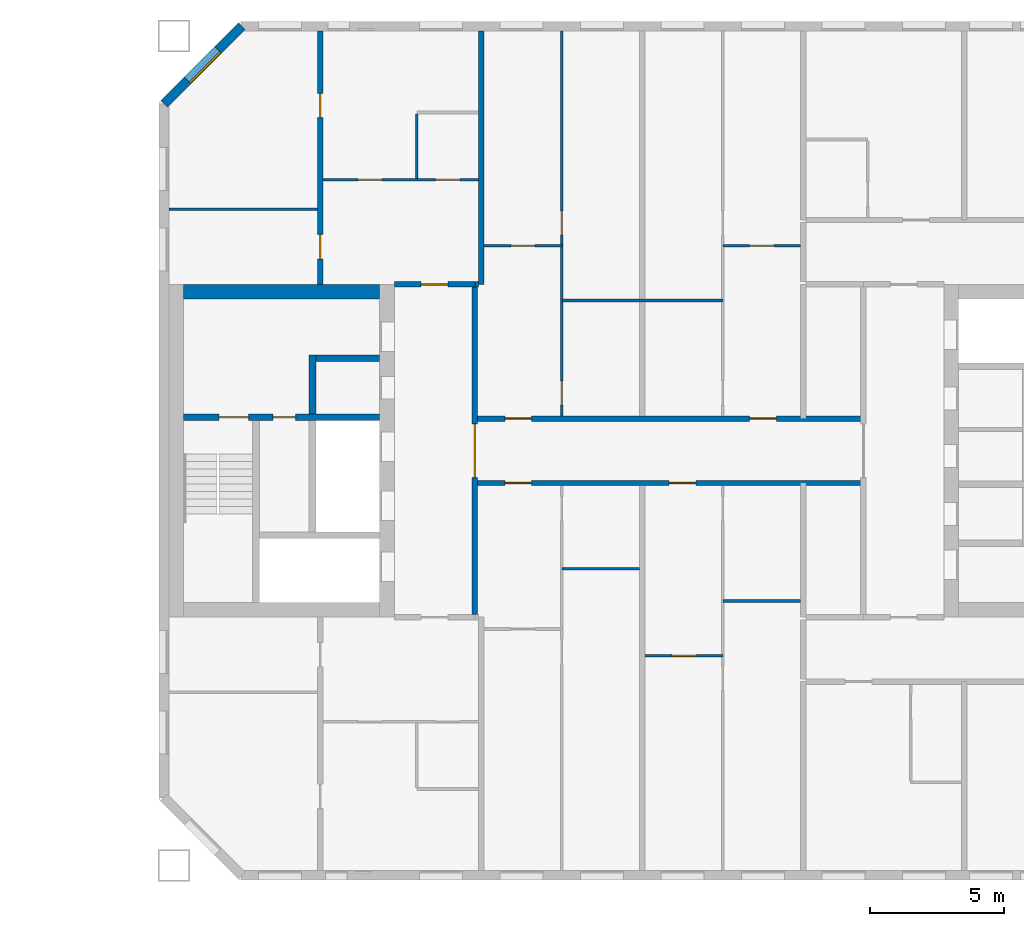
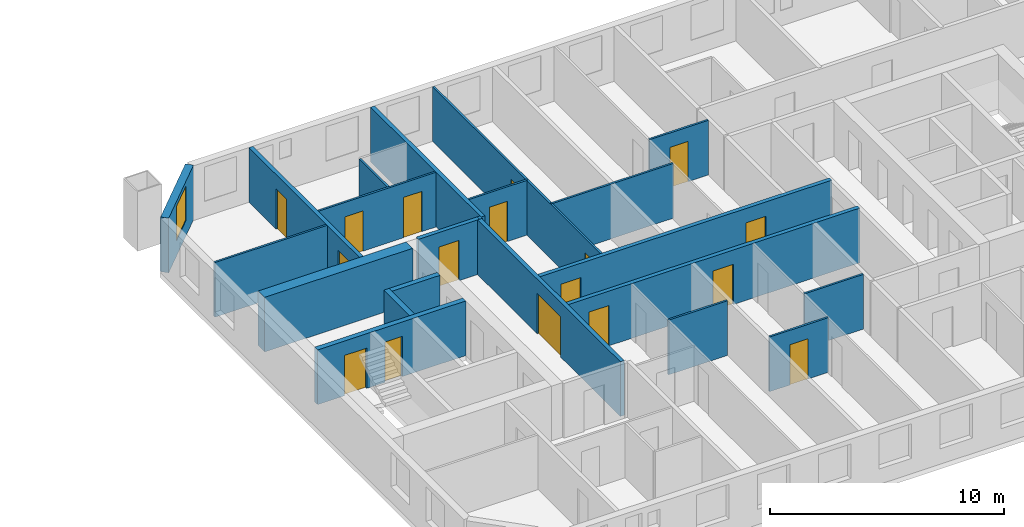
# One storey, part 11 of 17: 22 walls, 17 doors, 1 window, 18 openings.
"""IFC4 building model written with IfcOpenShell, lengths in metres."""

from ifc_helpers import new_model, si_unit, direction, frame, frame_2d, origin, place, context, subcontext, project, spatial, rectangle, extrude, material, layer, layer_set, type_object, element, fill, save


model = new_model("IFC4")

# Units and contexts
model_context = context("Model", 3, precision=1e-05, world=origin(), true_north=direction((0.0, 1.0)))
body_context = subcontext(model_context, "Body", "Model", "MODEL_VIEW")
ifc_project = project(units=[si_unit("LENGTHUNIT", "METRE"), si_unit("AREAUNIT", "SQUARE_METRE"), si_unit("VOLUMEUNIT", "CUBIC_METRE"), si_unit("PLANEANGLEUNIT", "RADIAN"), si_unit("MASSUNIT", "GRAM", prefix="KILO")], contexts=[model_context])

# Site, building, storey
site_placement = place(None, origin())
site = spatial("IfcSite", under=ifc_project, at=site_placement, CompositionType="ELEMENT")
building_placement = place(site_placement, origin())
building = spatial("IfcBuilding", under=site, at=building_placement, Name="Tuart Gate Housing", CompositionType="ELEMENT")
storey_placement = place(building_placement, frame((0.0, 0.0, 126.800048828125)))
storey = spatial("IfcBuildingStorey", under=building, at=storey_placement, Name="L35", CompositionType="ELEMENT", Elevation=126.800048828125)

# Wall, opening, window
ifc_material_1 = material(Name="Brick", Category="masonry")
ifc_layer_1 = layer(ifc_material_1, 0.360107421875)
ifc_layer_set_1 = layer_set([ifc_layer_1], Name="Brick pier and spandrel wall 360")
wall_type_1 = type_object("IfcWallType", Name="Brick pier and spandrel wall 360", PredefinedType="STANDARD", material=ifc_layer_set_1)
wall_1_placement = place(storey_placement, frame((134.07470703125, 85.820068359375, 0.0), z_axis=(0.0, 0.0, 1.0), x_axis=(-0.707106781187, -0.707106781187, 0.0)))
wall_1 = element("IfcWall", 1, at=wall_1_placement, inside=storey, type_object=wall_type_1, Name="External wall B-NW L35", PredefinedType="STANDARD", context=body_context, shape_type="SweptSolid", body=[
    extrude(rectangle(XDim=4.09375, YDim=0.360107421875, at=frame_2d((2.046875, 0.0))), origin(), (0.0, 0.0, 1.0), 2.849853515625),
])
opening_1_placement = place(wall_1_placement, frame((1.2470703125, 0.0, 0.800048828125)))
opening_1 = element("IfcOpeningElement", 2, at=opening_1_placement, cuts=wall_1, Name="Opening W1", PredefinedType="OPENING", context=body_context, shape_type="SweptSolid", body=[
    extrude(rectangle(XDim=1.60009765625, YDim=1.800048828125, at=frame_2d((0.800048828125, 0.89990234375))), frame((0.0, 0.18994140625, 0.0), z_axis=(0.0, -1.0, 0.0), x_axis=(1.0, 0.0, 0.0)), (0.0, 0.0, 1.0), 0.380126953125),
])
ifc_material_2 = material(Name="Aluminium frame with clear glass", Category="aluminium")
window_type = type_object("IfcWindowType", Name="Punched window 1600 x 1800", PartitioningType="SINGLE_PANEL", PredefinedType="WINDOW", material=ifc_material_2)
window_placement = place(opening_1_placement, origin())
window = element("IfcWindow", 3, at=window_placement, inside=storey, type_object=window_type, Name="Window W1", OverallHeight=1.800048828125, OverallWidth=1.60009765625, PartitioningType="SINGLE_PANEL", PredefinedType="WINDOW", context=body_context, shape_type="SweptSolid", body=[
    extrude(rectangle(XDim=1.60009765625, YDim=1.800048828125, at=frame_2d((0.800048828125, 0.89990234375))), frame((0.0, 0.150146484375, 0.0), z_axis=(0.0, -1.0, 0.0), x_axis=(1.0, 0.0, 0.0)), (0.0, 0.0, 1.0), 0.06005859375),
])
fill(opening_1, window)

# Wall, openings, doors
ifc_material_3 = material(Name="Concrete C50", Category="concrete")
ifc_layer_2 = layer(ifc_material_3, 0.25)
ifc_layer_set_2 = layer_set([ifc_layer_2], Name="Core wall 250 C50")
wall_type_2 = type_object("IfcWallType", Name="Core wall 250 C50", PredefinedType="SHEAR", material=ifc_layer_set_2)
wall_2_placement = place(storey_placement, frame((139.2099609375, 71.25, 0.0), z_axis=(0.0, 0.0, 1.0), x_axis=(-1.0, 0.0, 0.0)))
wall_2 = element("IfcWall", 4, at=wall_2_placement, inside=storey, type_object=wall_type_2, Name="Core wall BG.2", PredefinedType="SHEAR", context=body_context, shape_type="SweptSolid", body=[
    extrude(rectangle(XDim=7.300048828125, YDim=0.25, at=frame_2d((3.64990234375, 0.0))), origin(), (0.0, 0.0, 1.0), 2.849853515625),
])
opening_2_placement = place(wall_2_placement, frame((4.875, 0.0, 0.0)))
opening_2 = element("IfcOpeningElement", 5, at=opening_2_placement, cuts=wall_2, Name="Opening D1369", PredefinedType="OPENING", context=body_context, shape_type="SweptSolid", body=[
    extrude(rectangle(XDim=1.10009765625, YDim=2.10009765625, at=frame_2d((0.550048828125, 1.050048828125))), frame((0.0, 0.135009765625, 0.0), z_axis=(0.0, -1.0, 0.0), x_axis=(1.0, 0.0, 0.0)), (0.0, 0.0, 1.0), 0.27001953125),
])
opening_3_placement = place(wall_2_placement, frame((3.125, 0.0, 0.0)))
opening_3 = element("IfcOpeningElement", 6, at=opening_3_placement, cuts=wall_2, Name="Opening D1368", PredefinedType="OPENING", context=body_context, shape_type="SweptSolid", body=[
    extrude(rectangle(XDim=0.85009765625, YDim=2.10009765625, at=frame_2d((0.425048828125, 1.050048828125))), frame((0.0, 0.135009765625, 0.0), z_axis=(0.0, -1.0, 0.0), x_axis=(1.0, 0.0, 0.0)), (0.0, 0.0, 1.0), 0.27001953125),
])
ifc_material_4 = material(Name="Steel fire door", Category="steel")
door_type_1 = type_object("IfcDoorType", Name="Riser door 850 x 2100", OperationType="SINGLE_SWING_LEFT", PredefinedType="DOOR", material=ifc_material_4)
door_1_placement = place(opening_3_placement, origin())
door_1 = element("IfcDoor", 7, at=door_1_placement, inside=storey, type_object=door_type_1, Name="Service room door BG.W1", OperationType="SINGLE_SWING_LEFT", OverallHeight=2.10009765625, OverallWidth=0.85009765625, PredefinedType="DOOR", context=body_context, shape_type="SweptSolid", body=[
    extrude(rectangle(XDim=0.85009765625, YDim=2.10009765625, at=frame_2d((0.425048828125, 1.050048828125))), frame((0.0, 0.02490234375, 0.0), z_axis=(0.0, -1.0, 0.0), x_axis=(1.0, 0.0, 0.0)), (0.0, 0.0, 1.0), 0.050048828125),
])
fill(opening_3, door_1)
ifc_material_5 = material(Name="Steel fire door", Category="steel")
door_type_2 = type_object("IfcDoorType", Name="Stair door 1100 x 2100", OperationType="SINGLE_SWING_LEFT", PredefinedType="DOOR", material=ifc_material_5)
door_2_placement = place(opening_2_placement, origin())
door_2 = element("IfcDoor", 8, at=door_2_placement, inside=storey, type_object=door_type_2, Name="Stair door BG.SD", OperationType="SINGLE_SWING_LEFT", OverallHeight=2.10009765625, OverallWidth=1.10009765625, PredefinedType="DOOR", context=body_context, shape_type="SweptSolid", body=[
    extrude(rectangle(XDim=1.10009765625, YDim=2.10009765625, at=frame_2d((0.550048828125, 1.050048828125))), frame((0.0, 0.02490234375, 0.0), z_axis=(0.0, -1.0, 0.0), x_axis=(1.0, 0.0, 0.0)), (0.0, 0.0, 1.0), 0.050048828125),
])
fill(opening_2, door_2)

# Walls
wall_3_placement = place(storey_placement, frame((139.2099609375, 73.449951171875, 0.0), z_axis=(0.0, 0.0, 1.0), x_axis=(-1.0, 0.0, 0.0)))
element("IfcWall", 9, at=wall_3_placement, inside=storey, type_object=wall_type_2, Name="Core wall BG.3", PredefinedType="SHEAR", context=body_context, shape_type="SweptSolid", body=[
    extrude(rectangle(XDim=2.375, YDim=0.25, at=frame_2d((1.1875, 0.0))), origin(), (0.0, 0.0, 1.0), 2.849853515625),
])
wall_4_placement = place(storey_placement, frame((136.7099609375, 71.375, 0.0), z_axis=(0.0, 0.0, 1.0), x_axis=(0.0, 1.0, 0.0)))
element("IfcWall", 10, at=wall_4_placement, inside=storey, type_object=wall_type_2, Name="Core wall BG.5", PredefinedType="SHEAR", context=body_context, shape_type="SweptSolid", body=[
    extrude(rectangle(XDim=2.199951171875, YDim=0.25, at=frame_2d((1.10009765625, 0.0))), origin(), (0.0, 0.0, 1.0), 2.849853515625),
])
ifc_material_6 = material(Name="Concrete C50", Category="concrete")
ifc_layer_3 = layer(ifc_material_6, 0.550048828125)
ifc_layer_set_3 = layer_set([ifc_layer_3], Name="Core wall 550 C50")
wall_type_3 = type_object("IfcWallType", Name="Core wall 550 C50", PredefinedType="SHEAR", material=ifc_layer_set_3)
wall_5_placement = place(storey_placement, frame((139.2099609375, 75.925048828125, 0.0), z_axis=(0.0, 0.0, 1.0), x_axis=(-1.0, 0.0, 0.0)))
element("IfcWall", 11, at=wall_5_placement, inside=storey, type_object=wall_type_3, Name="Core wall BG north", PredefinedType="SHEAR", context=body_context, shape_type="SweptSolid", body=[
    extrude(rectangle(XDim=7.300048828125, YDim=0.550048828125, at=frame_2d((3.64990234375, 0.0))), origin(), (0.0, 0.0, 1.0), 2.849853515625),
])

# Wall, openings, doors
ifc_material_7 = material(Name="Concrete masonry 15 MPa", Category="masonry")
ifc_layer_4 = layer(ifc_material_7, 0.199951171875)
ifc_layer_set_4 = layer_set([ifc_layer_4], Name="Corridor wall masonry 200")
wall_type_4 = type_object("IfcWallType", Name="Corridor wall masonry 200", PredefinedType="PARTITIONING", material=ifc_layer_set_4)
wall_6_placement = place(storey_placement, frame((142.760009765625, 68.800048828125, 0.0), z_axis=(0.0, 0.0, 1.0), x_axis=(1.0, 0.0, 0.0)))
wall_6 = element("IfcWall", 12, at=wall_6_placement, inside=storey, type_object=wall_type_4, Name="Corridor wall masonry 200", PredefinedType="PARTITIONING", context=body_context, shape_type="SweptSolid", body=[
    extrude(rectangle(XDim=14.47998046875, YDim=0.199951171875, at=frame_2d((7.239990234375, 0.0))), origin(), (0.0, 0.0, 1.0), 2.849853515625),
])
opening_4_placement = place(wall_6_placement, frame((1.1201171875, 0.0, 0.0)))
opening_4 = element("IfcOpeningElement", 13, at=opening_4_placement, cuts=wall_6, Name="Opening D1380", PredefinedType="OPENING", context=body_context, shape_type="SweptSolid", body=[
    extrude(rectangle(XDim=1.0, YDim=2.10009765625, at=frame_2d((0.5, 1.050048828125))), frame((0.0, 0.10986328125, 0.0), z_axis=(0.0, -1.0, 0.0), x_axis=(1.0, 0.0, 0.0)), (0.0, 0.0, 1.0), 0.219970703125),
])
opening_5_placement = place(wall_6_placement, frame((7.239990234375, 0.0, 0.0)))
opening_5 = element("IfcOpeningElement", 14, at=opening_5_placement, cuts=wall_6, Name="Opening D1381", PredefinedType="OPENING", context=body_context, shape_type="SweptSolid", body=[
    extrude(rectangle(XDim=1.0, YDim=2.10009765625, at=frame_2d((0.5, 1.050048828125))), frame((0.0, 0.10986328125, 0.0), z_axis=(0.0, -1.0, 0.0), x_axis=(1.0, 0.0, 0.0)), (0.0, 0.0, 1.0), 0.219970703125),
])
ifc_material_8 = material(Name="Timber door leaf in steel frame", Category="steel")
door_type_3 = type_object("IfcDoorType", Name="Flat entrance door 1000 RH", OperationType="SINGLE_SWING_RIGHT", PredefinedType="DOOR", material=ifc_material_8)
door_3_placement = place(opening_4_placement, frame((1.0, 0.0, 0.0), z_axis=(0.0, 0.0, 1.0), x_axis=(-1.0, 0.0, 0.0)))
door_3 = element("IfcDoor", 15, at=door_3_placement, inside=storey, type_object=door_type_3, Name="Flat entrance door", OperationType="SINGLE_SWING_RIGHT", OverallHeight=2.10009765625, OverallWidth=1.0, PredefinedType="DOOR", context=body_context, shape_type="SweptSolid", body=[
    extrude(rectangle(XDim=1.0, YDim=2.10009765625, at=frame_2d((0.5, 1.050048828125))), frame((0.0, 0.025146484375, 0.0), z_axis=(0.0, -1.0, 0.0), x_axis=(1.0, 0.0, 0.0)), (0.0, 0.0, 1.0), 0.050048828125),
])
fill(opening_4, door_3)
door_4_placement = place(opening_5_placement, frame((1.0, 0.0, 0.0), z_axis=(0.0, 0.0, 1.0), x_axis=(-1.0, 0.0, 0.0)))
door_4 = element("IfcDoor", 16, at=door_4_placement, inside=storey, type_object=door_type_3, Name="Flat entrance door", OperationType="SINGLE_SWING_RIGHT", OverallHeight=2.10009765625, OverallWidth=1.0, PredefinedType="DOOR", context=body_context, shape_type="SweptSolid", body=[
    extrude(rectangle(XDim=1.0, YDim=2.10009765625, at=frame_2d((0.5, 1.050048828125))), frame((0.0, 0.025146484375, 0.0), z_axis=(0.0, -1.0, 0.0), x_axis=(1.0, 0.0, 0.0)), (0.0, 0.0, 1.0), 0.050048828125),
])
fill(opening_5, door_4)

wall_7_placement = place(storey_placement, frame((142.760009765625, 71.199951171875, 0.0), z_axis=(0.0, 0.0, 1.0), x_axis=(1.0, 0.0, 0.0)))
wall_7 = element("IfcWall", 17, at=wall_7_placement, inside=storey, type_object=wall_type_4, Name="Corridor wall masonry 200", PredefinedType="PARTITIONING", context=body_context, shape_type="SweptSolid", body=[
    extrude(rectangle(XDim=14.47998046875, YDim=0.199951171875, at=frame_2d((7.239990234375, 0.0))), origin(), (0.0, 0.0, 1.0), 2.849853515625),
])
opening_6_placement = place(wall_7_placement, frame((1.1201171875, 0.0, 0.0)))
opening_6 = element("IfcOpeningElement", 18, at=opening_6_placement, cuts=wall_7, Name="Opening D1370", PredefinedType="OPENING", context=body_context, shape_type="SweptSolid", body=[
    extrude(rectangle(XDim=1.0, YDim=2.10009765625, at=frame_2d((0.5, 1.050048828125))), frame((0.0, 0.10986328125, 0.0), z_axis=(0.0, -1.0, 0.0), x_axis=(1.0, 0.0, 0.0)), (0.0, 0.0, 1.0), 0.219970703125),
])
opening_7_placement = place(wall_7_placement, frame((10.239990234375, 0.0, 0.0)))
opening_7 = element("IfcOpeningElement", 19, at=opening_7_placement, cuts=wall_7, Name="Opening D1371", PredefinedType="OPENING", context=body_context, shape_type="SweptSolid", body=[
    extrude(rectangle(XDim=1.0, YDim=2.10009765625, at=frame_2d((0.5, 1.050048828125))), frame((0.0, 0.10986328125, 0.0), z_axis=(0.0, -1.0, 0.0), x_axis=(1.0, 0.0, 0.0)), (0.0, 0.0, 1.0), 0.219970703125),
])
ifc_material_9 = material(Name="Timber door leaf in steel frame", Category="steel")
door_type_4 = type_object("IfcDoorType", Name="Flat entrance door 1000", OperationType="SINGLE_SWING_LEFT", PredefinedType="DOOR", material=ifc_material_9)
door_5_placement = place(opening_6_placement, origin())
door_5 = element("IfcDoor", 20, at=door_5_placement, inside=storey, type_object=door_type_4, Name="Flat entrance door", OperationType="SINGLE_SWING_LEFT", OverallHeight=2.10009765625, OverallWidth=1.0, PredefinedType="DOOR", context=body_context, shape_type="SweptSolid", body=[
    extrude(rectangle(XDim=1.0, YDim=2.10009765625, at=frame_2d((0.5, 1.050048828125))), frame((0.0, 0.02490234375, 0.0), z_axis=(0.0, -1.0, 0.0), x_axis=(1.0, 0.0, 0.0)), (0.0, 0.0, 1.0), 0.050048828125),
])
fill(opening_6, door_5)
door_6_placement = place(opening_7_placement, origin())
door_6 = element("IfcDoor", 21, at=door_6_placement, inside=storey, type_object=door_type_4, Name="Flat entrance door", OperationType="SINGLE_SWING_LEFT", OverallHeight=2.10009765625, OverallWidth=1.0, PredefinedType="DOOR", context=body_context, shape_type="SweptSolid", body=[
    extrude(rectangle(XDim=1.0, YDim=2.10009765625, at=frame_2d((0.5, 1.050048828125))), frame((0.0, 0.02490234375, 0.0), z_axis=(0.0, -1.0, 0.0), x_axis=(1.0, 0.0, 0.0)), (0.0, 0.0, 1.0), 0.050048828125),
])
fill(opening_7, door_6)

# Wall, opening, door
ifc_material_10 = material(Name="Concrete masonry 15 MPa", Category="masonry")
ifc_layer_5 = layer(ifc_material_10, 0.199951171875)
ifc_layer_set_5 = layer_set([ifc_layer_5], Name="Enclosure wall masonry 200")
wall_type_5 = type_object("IfcWallType", Name="Enclosure wall masonry 200", PredefinedType="PARTITIONING", material=ifc_layer_set_5)
wall_8_placement = place(storey_placement, frame((139.760009765625, 76.199951171875, 0.0), z_axis=(0.0, 0.0, 1.0), x_axis=(1.0, 0.0, 0.0)))
wall_8 = element("IfcWall", 22, at=wall_8_placement, inside=storey, type_object=wall_type_5, Name="Enclosure wall masonry 200", PredefinedType="PARTITIONING", context=body_context, shape_type="SweptSolid", body=[
    extrude(rectangle(XDim=3.0, YDim=0.199951171875, at=frame_2d((1.5, 0.0))), origin(), (0.0, 0.0, 1.0), 2.849853515625),
])
opening_8_placement = place(wall_8_placement, frame((1.0, 0.0, 0.0)))
opening_8 = element("IfcOpeningElement", 23, at=opening_8_placement, cuts=wall_8, Name="Opening D1366", PredefinedType="OPENING", context=body_context, shape_type="SweptSolid", body=[
    extrude(rectangle(XDim=1.0, YDim=2.10009765625, at=frame_2d((0.5, 1.050048828125))), frame((0.0, 0.10986328125, 0.0), z_axis=(0.0, -1.0, 0.0), x_axis=(1.0, 0.0, 0.0)), (0.0, 0.0, 1.0), 0.219970703125),
])
door_7_placement = place(opening_8_placement, origin())
door_7 = element("IfcDoor", 24, at=door_7_placement, inside=storey, type_object=door_type_3, Name="Flat entrance door", OperationType="SINGLE_SWING_RIGHT", OverallHeight=2.10009765625, OverallWidth=1.0, PredefinedType="DOOR", context=body_context, shape_type="SweptSolid", body=[
    extrude(rectangle(XDim=1.0, YDim=2.10009765625, at=frame_2d((0.5, 1.050048828125))), frame((0.0, 0.02490234375, 0.0), z_axis=(0.0, -1.0, 0.0), x_axis=(1.0, 0.0, 0.0)), (0.0, 0.0, 1.0), 0.050048828125),
])
fill(opening_8, door_7)

ifc_material_11 = material(Name="Plasterboard partition")
ifc_layer_6 = layer(ifc_material_11, 0.199951171875)
ifc_layer_set_6 = layer_set([ifc_layer_6], Name="Lobby wall 200")
wall_type_6 = type_object("IfcWallType", Name="Lobby wall 200", PredefinedType="PARTITIONING", material=ifc_layer_set_6)
wall_9_placement = place(storey_placement, frame((142.760009765625, 63.89990234375, 0.0), z_axis=(0.0, 0.0, 1.0), x_axis=(0.0, 1.0, 0.0)))
wall_9 = element("IfcWall", 25, at=wall_9_placement, inside=storey, type_object=wall_type_6, Name="Lift lobby wall BG", PredefinedType="PARTITIONING", context=body_context, shape_type="SweptSolid", body=[
    extrude(rectangle(XDim=12.2001953125, YDim=0.199951171875, at=frame_2d((6.10009765625, 0.0))), origin(), (0.0, 0.0, 1.0), 2.849853515625),
])
opening_9_placement = place(wall_9_placement, frame((5.10009765625, 0.0, 0.0)))
opening_9 = element("IfcOpeningElement", 26, at=opening_9_placement, cuts=wall_9, Name="Opening D1374", PredefinedType="OPENING", context=body_context, shape_type="SweptSolid", body=[
    extrude(rectangle(XDim=2.0, YDim=2.10009765625, at=frame_2d((1.0, 1.050048828125))), frame((0.0, 0.10986328125, 0.0), z_axis=(0.0, -1.0, 0.0), x_axis=(1.0, 0.0, 0.0)), (0.0, 0.0, 1.0), 0.219970703125),
])
ifc_material_12 = material(Name="Steel fire door", Category="steel")
door_type_5 = type_object("IfcDoorType", Name="Smoke door 2000 x 2100", OperationType="DOUBLE_DOOR_SINGLE_SWING", PredefinedType="DOOR", material=ifc_material_12)
door_8_placement = place(opening_9_placement, origin())
door_8 = element("IfcDoor", 27, at=door_8_placement, inside=storey, type_object=door_type_5, Name="Lift lobby smoke door BG", OperationType="DOUBLE_DOOR_SINGLE_SWING", OverallHeight=2.10009765625, OverallWidth=2.0, PredefinedType="DOOR", context=body_context, shape_type="SweptSolid", body=[
    extrude(rectangle(XDim=2.0, YDim=2.10009765625, at=frame_2d((1.0, 1.050048828125))), frame((0.0, 0.02490234375, 0.0), z_axis=(0.0, -1.0, 0.0), x_axis=(1.0, 0.0, 0.0)), (0.0, 0.0, 1.0), 0.050048828125),
])
fill(opening_9, door_8)

ifc_material_13 = material(Name="Gypsum board on steel studs", Category="steel")
ifc_layer_7 = layer(ifc_material_13, 0.10009765625)
ifc_layer_set_7 = layer_set([ifc_layer_7], Name="Partition 100")
wall_type_7 = type_object("IfcWallType", Name="Partition 100", PredefinedType="PARTITIONING", material=ifc_layer_set_7)
wall_10_placement = place(storey_placement, frame((149.10009765625, 62.360107421875, 0.0), z_axis=(0.0, 0.0, 1.0), x_axis=(1.0, 0.0, 0.0)))
wall_10 = element("IfcWall", 28, at=wall_10_placement, inside=storey, type_object=wall_type_7, Name="Partition 100", PredefinedType="PARTITIONING", context=body_context, shape_type="SweptSolid", body=[
    extrude(rectangle(XDim=2.89990234375, YDim=0.10009765625, at=frame_2d((1.449951171875, 0.0))), origin(), (0.0, 0.0, 1.0), 2.849853515625),
])
opening_10_placement = place(wall_10_placement, frame((1.0, 0.0, 0.0)))
opening_10 = element("IfcOpeningElement", 29, at=opening_10_placement, cuts=wall_10, Name="Opening D1388", PredefinedType="OPENING", context=body_context, shape_type="SweptSolid", body=[
    extrude(rectangle(XDim=0.89990234375, YDim=2.10009765625, at=frame_2d((0.449951171875, 1.050048828125))), frame((0.0, 0.06005859375, 0.0), z_axis=(0.0, -1.0, 0.0), x_axis=(1.0, 0.0, 0.0)), (0.0, 0.0, 1.0), 0.1201171875),
])
ifc_material_14 = material(Name="Timber door leaf in steel frame", Category="steel")
door_type_6 = type_object("IfcDoorType", Name="Internal door 900 RH", OperationType="SINGLE_SWING_RIGHT", PredefinedType="DOOR", material=ifc_material_14)
door_9_placement = place(opening_10_placement, origin())
door_9 = element("IfcDoor", 30, at=door_9_placement, inside=storey, type_object=door_type_6, Name="Internal door", OperationType="SINGLE_SWING_RIGHT", OverallHeight=2.10009765625, OverallWidth=0.89990234375, PredefinedType="DOOR", context=body_context, shape_type="SweptSolid", body=[
    extrude(rectangle(XDim=0.89990234375, YDim=2.10009765625, at=frame_2d((0.449951171875, 1.050048828125))), frame((0.0, 0.02490234375, 0.0), z_axis=(0.0, -1.0, 0.0), x_axis=(1.0, 0.0, 0.0)), (0.0, 0.0, 1.0), 0.050048828125),
])
fill(opening_10, door_9)

# Walls
for number, where, z_axis, x_axis, name in (
    (31, (152.0, 64.39990234375, 0.0), (0.0, 0.0, 1.0), (1.0, 0.0, 0.0), "Partition 100"),
    (32, (146.0, 65.60009765625, 0.0), (0.0, 0.0, 1.0), (1.0, 0.0, 0.0), "Partition 100"),
):
    element("IfcWall", number, at=place(storey_placement, frame(where, z_axis=z_axis, x_axis=x_axis)), inside=storey, type_object=wall_type_7, Name=name, PredefinedType="PARTITIONING", context=body_context, shape_type="SweptSolid", body=[
        extrude(rectangle(XDim=2.89990234375, YDim=0.10009765625, at=frame_2d((1.449951171875, 0.0))), origin(), (0.0, 0.0, 1.0), 2.849853515625),
    ])
wall_11_placement = place(storey_placement, frame((146.0, 75.60009765625, 0.0), z_axis=(0.0, 0.0, 1.0), x_axis=(1.0, 0.0, 0.0)))
element("IfcWall", 33, at=wall_11_placement, inside=storey, type_object=wall_type_7, Name="Partition 100", PredefinedType="PARTITIONING", context=body_context, shape_type="SweptSolid", body=[
    extrude(rectangle(XDim=6.0, YDim=0.10009765625, at=frame_2d((3.0, 0.0))), origin(), (0.0, 0.0, 1.0), 2.849853515625),
])

# Wall, opening, door
wall_12_placement = place(storey_placement, frame((143.10009765625, 77.639892578125, 0.0), z_axis=(0.0, 0.0, 1.0), x_axis=(1.0, 0.0, 0.0)))
wall_12 = element("IfcWall", 34, at=wall_12_placement, inside=storey, type_object=wall_type_7, Name="Partition 100", PredefinedType="PARTITIONING", context=body_context, shape_type="SweptSolid", body=[
    extrude(rectangle(XDim=2.89990234375, YDim=0.10009765625, at=frame_2d((1.449951171875, 0.0))), origin(), (0.0, 0.0, 1.0), 2.849853515625),
])
opening_11_placement = place(wall_12_placement, frame((1.0, 0.0, 0.0)))
opening_11 = element("IfcOpeningElement", 35, at=opening_11_placement, cuts=wall_12, Name="Opening D1364", PredefinedType="OPENING", context=body_context, shape_type="SweptSolid", body=[
    extrude(rectangle(XDim=0.89990234375, YDim=2.10009765625, at=frame_2d((0.449951171875, 1.050048828125))), frame((0.0, 0.06005859375, 0.0), z_axis=(0.0, -1.0, 0.0), x_axis=(1.0, 0.0, 0.0)), (0.0, 0.0, 1.0), 0.1201171875),
])
ifc_material_15 = material(Name="Timber door leaf in steel frame", Category="steel")
door_type_7 = type_object("IfcDoorType", Name="Internal door 900", OperationType="SINGLE_SWING_LEFT", PredefinedType="DOOR", material=ifc_material_15)
door_10_placement = place(opening_11_placement, frame((0.89990234375, 0.0, 0.0), z_axis=(0.0, 0.0, 1.0), x_axis=(-1.0, 0.0, 0.0)))
door_10 = element("IfcDoor", 36, at=door_10_placement, inside=storey, type_object=door_type_7, Name="Internal door", OperationType="SINGLE_SWING_LEFT", OverallHeight=2.10009765625, OverallWidth=0.89990234375, PredefinedType="DOOR", context=body_context, shape_type="SweptSolid", body=[
    extrude(rectangle(XDim=0.89990234375, YDim=2.10009765625, at=frame_2d((0.449951171875, 1.050048828125))), frame((0.0, 0.025146484375, 0.0), z_axis=(0.0, -1.0, 0.0), x_axis=(1.0, 0.0, 0.0)), (0.0, 0.0, 1.0), 0.050048828125),
])
fill(opening_11, door_10)

wall_13_placement = place(storey_placement, frame((152.0, 77.639892578125, 0.0), z_axis=(0.0, 0.0, 1.0), x_axis=(1.0, 0.0, 0.0)))
wall_13 = element("IfcWall", 37, at=wall_13_placement, inside=storey, type_object=wall_type_7, Name="Partition 100", PredefinedType="PARTITIONING", context=body_context, shape_type="SweptSolid", body=[
    extrude(rectangle(XDim=2.89990234375, YDim=0.10009765625, at=frame_2d((1.449951171875, 0.0))), origin(), (0.0, 0.0, 1.0), 2.849853515625),
])
opening_12_placement = place(wall_13_placement, frame((1.0, 0.0, 0.0)))
opening_12 = element("IfcOpeningElement", 38, at=opening_12_placement, cuts=wall_13, Name="Opening D1365", PredefinedType="OPENING", context=body_context, shape_type="SweptSolid", body=[
    extrude(rectangle(XDim=0.89990234375, YDim=2.10009765625, at=frame_2d((0.449951171875, 1.050048828125))), frame((0.0, 0.06005859375, 0.0), z_axis=(0.0, -1.0, 0.0), x_axis=(1.0, 0.0, 0.0)), (0.0, 0.0, 1.0), 0.1201171875),
])
door_11_placement = place(opening_12_placement, frame((0.89990234375, 0.0, 0.0), z_axis=(0.0, 0.0, 1.0), x_axis=(-1.0, 0.0, 0.0)))
door_11 = element("IfcDoor", 39, at=door_11_placement, inside=storey, type_object=door_type_6, Name="Internal door", OperationType="SINGLE_SWING_RIGHT", OverallHeight=2.10009765625, OverallWidth=0.89990234375, PredefinedType="DOOR", context=body_context, shape_type="SweptSolid", body=[
    extrude(rectangle(XDim=0.89990234375, YDim=2.10009765625, at=frame_2d((0.449951171875, 1.050048828125))), frame((0.0, 0.025146484375, 0.0), z_axis=(0.0, -1.0, 0.0), x_axis=(1.0, 0.0, 0.0)), (0.0, 0.0, 1.0), 0.050048828125),
])
fill(opening_12, door_11)

# Wall
wall_14_placement = place(storey_placement, frame((131.360107421875, 79.0, 0.0), z_axis=(0.0, 0.0, 1.0), x_axis=(1.0, 0.0, 0.0)))
element("IfcWall", 40, at=wall_14_placement, inside=storey, type_object=wall_type_7, Name="Partition 100", PredefinedType="PARTITIONING", context=body_context, shape_type="SweptSolid", body=[
    extrude(rectangle(XDim=5.539794921875, YDim=0.10009765625, at=frame_2d((2.77001953125, 0.0))), origin(), (0.0, 0.0, 1.0), 2.849853515625),
])

# Wall, openings, doors
wall_15_placement = place(storey_placement, frame((137.10009765625, 80.10009765625, 0.0), z_axis=(0.0, 0.0, 1.0), x_axis=(1.0, 0.0, 0.0)))
wall_15 = element("IfcWall", 41, at=wall_15_placement, inside=storey, type_object=wall_type_7, Name="Partition 100", PredefinedType="PARTITIONING", context=body_context, shape_type="SweptSolid", body=[
    extrude(rectangle(XDim=5.7998046875, YDim=0.10009765625, at=frame_2d((2.89990234375, 0.0))), origin(), (0.0, 0.0, 1.0), 2.849853515625),
])
opening_13_placement = place(wall_15_placement, frame((1.300048828125, 0.0, 0.0)))
opening_13 = element("IfcOpeningElement", 42, at=opening_13_placement, cuts=wall_15, Name="Opening D1357", PredefinedType="OPENING", context=body_context, shape_type="SweptSolid", body=[
    extrude(rectangle(XDim=0.89990234375, YDim=2.10009765625, at=frame_2d((0.449951171875, 1.050048828125))), frame((0.0, 0.06005859375, 0.0), z_axis=(0.0, -1.0, 0.0), x_axis=(1.0, 0.0, 0.0)), (0.0, 0.0, 1.0), 0.1201171875),
])
opening_14_placement = place(wall_15_placement, frame((4.199951171875, 0.0, 0.0)))
opening_14 = element("IfcOpeningElement", 43, at=opening_14_placement, cuts=wall_15, Name="Opening D1356", PredefinedType="OPENING", context=body_context, shape_type="SweptSolid", body=[
    extrude(rectangle(XDim=0.89990234375, YDim=2.10009765625, at=frame_2d((0.449951171875, 1.050048828125))), frame((0.0, 0.06005859375, 0.0), z_axis=(0.0, -1.0, 0.0), x_axis=(1.0, 0.0, 0.0)), (0.0, 0.0, 1.0), 0.1201171875),
])
ifc_material_16 = material(Name="Timber door leaf in steel frame", Category="steel")
door_type_8 = type_object("IfcDoorType", Name="Bathroom door 900", OperationType="SINGLE_SWING_LEFT", PredefinedType="DOOR", material=ifc_material_16)
door_12_placement = place(opening_14_placement, origin())
door_12 = element("IfcDoor", 44, at=door_12_placement, inside=storey, type_object=door_type_8, Name="Bathroom door", OperationType="SINGLE_SWING_LEFT", OverallHeight=2.10009765625, OverallWidth=0.89990234375, PredefinedType="DOOR", context=body_context, shape_type="SweptSolid", body=[
    extrude(rectangle(XDim=0.89990234375, YDim=2.10009765625, at=frame_2d((0.449951171875, 1.050048828125))), frame((0.0, 0.02490234375, 0.0), z_axis=(0.0, -1.0, 0.0), x_axis=(1.0, 0.0, 0.0)), (0.0, 0.0, 1.0), 0.050048828125),
])
fill(opening_14, door_12)
door_13_placement = place(opening_13_placement, frame((0.89990234375, 0.0, 0.0), z_axis=(0.0, 0.0, 1.0), x_axis=(-1.0, 0.0, 0.0)))
door_13 = element("IfcDoor", 45, at=door_13_placement, inside=storey, type_object=door_type_6, Name="Internal door", OperationType="SINGLE_SWING_RIGHT", OverallHeight=2.10009765625, OverallWidth=0.89990234375, PredefinedType="DOOR", context=body_context, shape_type="SweptSolid", body=[
    extrude(rectangle(XDim=0.89990234375, YDim=2.10009765625, at=frame_2d((0.449951171875, 1.050048828125))), frame((0.0, 0.025146484375, 0.0), z_axis=(0.0, -1.0, 0.0), x_axis=(1.0, 0.0, 0.0)), (0.0, 0.0, 1.0), 0.050048828125),
])
fill(opening_13, door_13)

# Wall
wall_16_placement = place(storey_placement, frame((140.60009765625, 80.14990234375, 0.0), z_axis=(0.0, 0.0, 1.0), x_axis=(0.0, 1.0, 0.0)))
element("IfcWall", 46, at=wall_16_placement, inside=storey, type_object=wall_type_7, Name="Partition 100", PredefinedType="PARTITIONING", context=body_context, shape_type="SweptSolid", body=[
    extrude(rectangle(XDim=2.400146484375, YDim=0.10009765625, at=frame_2d((1.2001953125, 0.0))), origin(), (0.0, 0.0, 1.0), 2.849853515625),
])

# Wall, openings, doors
wall_17_placement = place(storey_placement, frame((146.0, 71.300048828125, 0.0), z_axis=(0.0, 0.0, 1.0), x_axis=(0.0, 1.0, 0.0)))
wall_17 = element("IfcWall", 47, at=wall_17_placement, inside=storey, type_object=wall_type_7, Name="Partition 100", PredefinedType="PARTITIONING", context=body_context, shape_type="SweptSolid", body=[
    extrude(rectangle(XDim=14.33984375, YDim=0.10009765625, at=frame_2d((7.169921875, 0.0))), origin(), (0.0, 0.0, 1.0), 2.849853515625),
])
opening_15_placement = place(wall_17_placement, frame((6.739990234375, 0.0, 0.0)))
opening_15 = element("IfcOpeningElement", 48, at=opening_15_placement, cuts=wall_17, Name="Opening D1361", PredefinedType="OPENING", context=body_context, shape_type="SweptSolid", body=[
    extrude(rectangle(XDim=0.89990234375, YDim=2.10009765625, at=frame_2d((0.449951171875, 1.050048828125))), frame((0.0, 0.06005859375, 0.0), z_axis=(0.0, -1.0, 0.0), x_axis=(1.0, 0.0, 0.0)), (0.0, 0.0, 1.0), 0.1201171875),
])
opening_16_placement = place(wall_17_placement, frame((0.39990234375, 0.0, 0.0)))
opening_16 = element("IfcOpeningElement", 49, at=opening_16_placement, cuts=wall_17, Name="Opening D1360", PredefinedType="OPENING", context=body_context, shape_type="SweptSolid", body=[
    extrude(rectangle(XDim=0.89990234375, YDim=2.10009765625, at=frame_2d((0.449951171875, 1.050048828125))), frame((0.0, 0.06005859375, 0.0), z_axis=(0.0, -1.0, 0.0), x_axis=(1.0, 0.0, 0.0)), (0.0, 0.0, 1.0), 0.1201171875),
])
ifc_material_17 = material(Name="Timber door leaf in steel frame", Category="steel")
door_type_9 = type_object("IfcDoorType", Name="Bathroom door 900 RH", OperationType="SINGLE_SWING_RIGHT", PredefinedType="DOOR", material=ifc_material_17)
door_14_placement = place(opening_16_placement, frame((0.89990234375, 0.0, 0.0), z_axis=(0.0, 0.0, 1.0), x_axis=(-1.0, 0.0, 0.0)))
door_14 = element("IfcDoor", 50, at=door_14_placement, inside=storey, type_object=door_type_9, Name="Bathroom door", OperationType="SINGLE_SWING_RIGHT", OverallHeight=2.10009765625, OverallWidth=0.89990234375, PredefinedType="DOOR", context=body_context, shape_type="SweptSolid", body=[
    extrude(rectangle(XDim=0.89990234375, YDim=2.10009765625, at=frame_2d((0.449951171875, 1.050048828125))), frame((0.0, 0.025146484375, 0.0), z_axis=(0.0, -1.0, 0.0), x_axis=(1.0, 0.0, 0.0)), (0.0, 0.0, 1.0), 0.050048828125),
])
fill(opening_16, door_14)
door_15_placement = place(opening_15_placement, frame((0.89990234375, 0.0, 0.0), z_axis=(0.0, 0.0, 1.0), x_axis=(-1.0, 0.0, 0.0)))
door_15 = element("IfcDoor", 51, at=door_15_placement, inside=storey, type_object=door_type_6, Name="Internal door", OperationType="SINGLE_SWING_RIGHT", OverallHeight=2.10009765625, OverallWidth=0.89990234375, PredefinedType="DOOR", context=body_context, shape_type="SweptSolid", body=[
    extrude(rectangle(XDim=0.89990234375, YDim=2.10009765625, at=frame_2d((0.449951171875, 1.050048828125))), frame((0.0, 0.025146484375, 0.0), z_axis=(0.0, -1.0, 0.0), x_axis=(1.0, 0.0, 0.0)), (0.0, 0.0, 1.0), 0.050048828125),
])
fill(opening_15, door_15)

ifc_material_18 = material(Name="Concrete C40", Category="concrete")
ifc_layer_8 = layer(ifc_material_18, 0.199951171875)
ifc_layer_set_8 = layer_set([ifc_layer_8], Name="Party wall concrete C40 200")
wall_type_8 = type_object("IfcWallType", Name="Party wall concrete C40 200", PredefinedType="SOLIDWALL", material=ifc_layer_set_8)
wall_18_placement = place(storey_placement, frame((137.0, 76.199951171875, 0.0), z_axis=(0.0, 0.0, 1.0), x_axis=(0.0, 1.0, 0.0)))
wall_18 = element("IfcWall", 52, at=wall_18_placement, inside=storey, type_object=wall_type_8, Name="Party wall concrete C40 200", PredefinedType="SOLIDWALL", context=body_context, shape_type="SweptSolid", body=[
    extrude(rectangle(XDim=9.43994140625, YDim=0.199951171875, at=frame_2d((4.719970703125, 0.0))), origin(), (0.0, 0.0, 1.0), 2.849853515625),
])
opening_17_placement = place(wall_18_placement, frame((6.219970703125, 0.0, 0.0)))
opening_17 = element("IfcOpeningElement", 53, at=opening_17_placement, cuts=wall_18, Name="Opening D1353", PredefinedType="OPENING", context=body_context, shape_type="SweptSolid", body=[
    extrude(rectangle(XDim=0.89990234375, YDim=2.10009765625, at=frame_2d((0.449951171875, 1.050048828125))), frame((0.0, 0.10986328125, 0.0), z_axis=(0.0, -1.0, 0.0), x_axis=(1.0, 0.0, 0.0)), (0.0, 0.0, 1.0), 0.219970703125),
])
opening_18_placement = place(wall_18_placement, frame((0.949951171875, 0.0, 0.0)))
opening_18 = element("IfcOpeningElement", 54, at=opening_18_placement, cuts=wall_18, Name="Opening D1354", PredefinedType="OPENING", context=body_context, shape_type="SweptSolid", body=[
    extrude(rectangle(XDim=0.89990234375, YDim=2.10009765625, at=frame_2d((0.449951171875, 1.050048828125))), frame((0.0, 0.10986328125, 0.0), z_axis=(0.0, -1.0, 0.0), x_axis=(1.0, 0.0, 0.0)), (0.0, 0.0, 1.0), 0.219970703125),
])
door_16_placement = place(opening_18_placement, origin())
door_16 = element("IfcDoor", 55, at=door_16_placement, inside=storey, type_object=door_type_7, Name="Internal door", OperationType="SINGLE_SWING_LEFT", OverallHeight=2.10009765625, OverallWidth=0.89990234375, PredefinedType="DOOR", context=body_context, shape_type="SweptSolid", body=[
    extrude(rectangle(XDim=0.89990234375, YDim=2.10009765625, at=frame_2d((0.449951171875, 1.050048828125))), frame((0.0, 0.02490234375, 0.0), z_axis=(0.0, -1.0, 0.0), x_axis=(1.0, 0.0, 0.0)), (0.0, 0.0, 1.0), 0.050048828125),
])
fill(opening_18, door_16)
door_17_placement = place(opening_17_placement, origin())
door_17 = element("IfcDoor", 56, at=door_17_placement, inside=storey, type_object=door_type_6, Name="Internal door", OperationType="SINGLE_SWING_RIGHT", OverallHeight=2.10009765625, OverallWidth=0.89990234375, PredefinedType="DOOR", context=body_context, shape_type="SweptSolid", body=[
    extrude(rectangle(XDim=0.89990234375, YDim=2.10009765625, at=frame_2d((0.449951171875, 1.050048828125))), frame((0.0, 0.02490234375, 0.0), z_axis=(0.0, -1.0, 0.0), x_axis=(1.0, 0.0, 0.0)), (0.0, 0.0, 1.0), 0.050048828125),
])
fill(opening_17, door_17)

# Walls
wall_19_placement = place(storey_placement, frame((143.0, 76.199951171875, 0.0), z_axis=(0.0, 0.0, 1.0), x_axis=(0.0, 1.0, 0.0)))
element("IfcWall", 57, at=wall_19_placement, inside=storey, type_object=wall_type_8, Name="Party wall concrete C40 200", PredefinedType="SOLIDWALL", context=body_context, shape_type="SweptSolid", body=[
    extrude(rectangle(XDim=9.43994140625, YDim=0.199951171875, at=frame_2d((4.719970703125, 0.0))), origin(), (0.0, 0.0, 1.0), 2.849853515625),
])
ifc_material_19 = material(Name="Concrete masonry 15 MPa", Category="masonry")
ifc_layer_9 = layer(ifc_material_19, 0.199951171875)
ifc_layer_set_9 = layer_set([ifc_layer_9], Name="Party wall masonry 200")
wall_type_9 = type_object("IfcWallType", Name="Party wall masonry 200", PredefinedType="PARTITIONING", material=ifc_layer_set_9)
wall_20_placement = place(storey_placement, frame((142.760009765625, 76.199951171875, 0.0), z_axis=(0.0, 0.0, 1.0), x_axis=(1.0, 0.0, 0.0)))
element("IfcWall", 58, at=wall_20_placement, inside=storey, type_object=wall_type_9, Name="Party wall masonry 200", PredefinedType="PARTITIONING", context=body_context, shape_type="SweptSolid", body=[
    extrude(rectangle(XDim=0.139892578125, YDim=0.199951171875, at=frame_2d((0.06982421875, 0.0))), origin(), (0.0, 0.0, 1.0), 2.849853515625),
])

save(model, "model.ifc")
